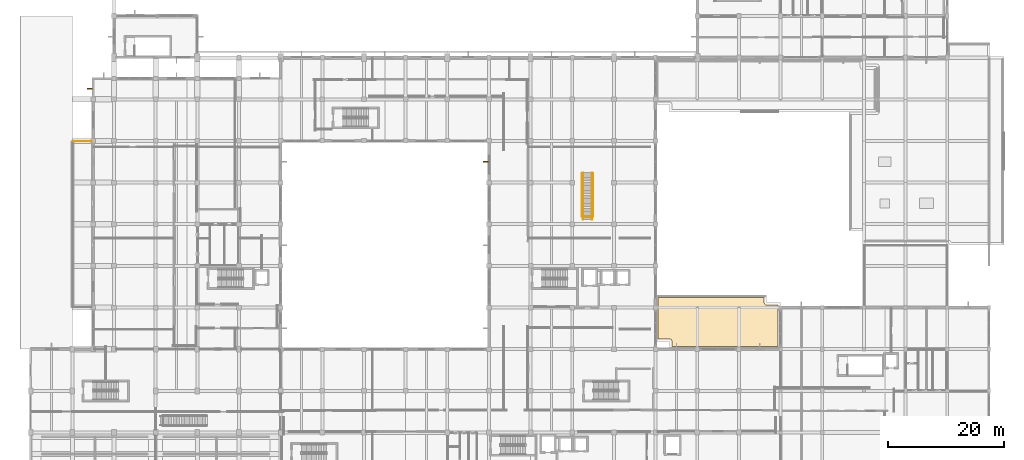
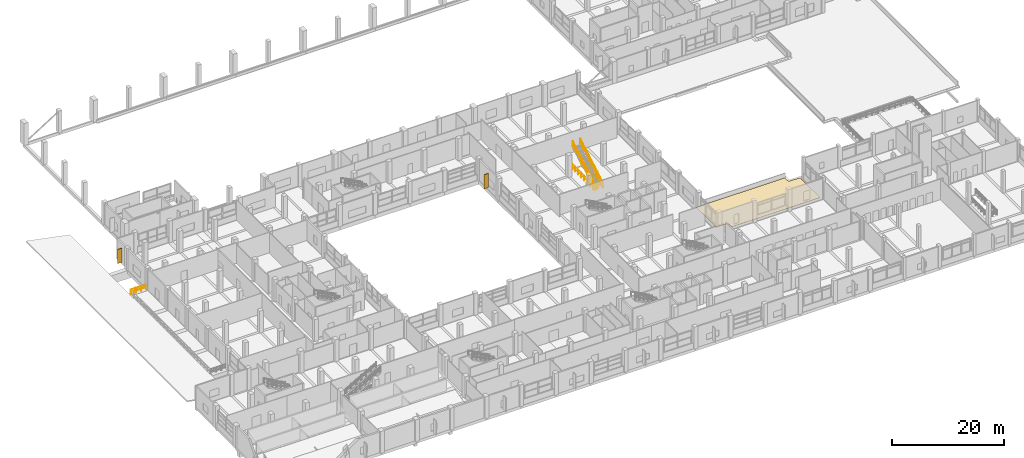
# One storey, part 137 of 140: 7 railings, 2 shading devices, 1 covering.
"""IFC4 building model written with IfcOpenShell, lengths in metres."""

import ifcopenshell
import ifcopenshell.guid

model = None  # the IFC model being written
_history = None  # IfcOwnerHistory: only IFC2X3 demands one
_inside = {}  # id of a spatial element -> (the spatial element, [elements in it])
_under = {}  # id of a project, library or spatial element -> (it, [spatial elements below it])
_declared = {}  # id of a project -> (the project, [libraries it declares])
_typed = {}  # id of a type object -> (the type object, [elements of that type])
_made_of = {}  # id of a material, layer set ... -> (it, [elements and type objects made of it])


def new_model(schema):
    """Start an empty IFC model of exactly this schema.

    Asked for "IFC4X3", IfcOpenShell would pick the latest addendum, in which some entities
    have other attributes; the version numbers below select the first issue.
    IFC2X3 requires an IfcOwnerHistory on every rooted entity: one is made here for all.
    """
    global model, _history
    if schema == "IFC4X3":
        model = ifcopenshell.file(schema_version=(4, 3, 0, 0))
    else:
        model = ifcopenshell.file(schema=schema)
    _inside.clear()
    _under.clear()
    _declared.clear()
    _typed.clear()
    _made_of.clear()
    _history = None
    if model.schema == "IFC2X3":
        org = make("IfcOrganization", Name="unknown")
        user = make(
            "IfcPersonAndOrganization",
            ThePerson=make("IfcPerson", FamilyName="unknown"),
            TheOrganization=org,
        )
        app = make(
            "IfcApplication",
            ApplicationDeveloper=org,
            Version="unknown",
            ApplicationFullName="unknown",
            ApplicationIdentifier="unknown",
        )
        _history = make(
            "IfcOwnerHistory",
            OwningUser=user,
            OwningApplication=app,
            ChangeAction="ADDED",
            CreationDate=0,
        )
    return model


def make(cls, **values):
    """One entity of the class cls with the attributes given. An attribute that is None is left unset."""
    return model.create_entity(
        cls, **{name: value for name, value in values.items() if value is not None}
    )


def rooted(cls, **values):
    """An entity with a GlobalId (a new one), such as an element, a storey or a relation."""
    return make(cls, GlobalId=ifcopenshell.guid.new(), OwnerHistory=_history, **values)


def si_unit(unit_type, name, prefix=None):
    """IfcSIUnit, for example si_unit("LENGTHUNIT", "METRE", prefix="MILLI")."""
    return make("IfcSIUnit", UnitType=unit_type, Prefix=prefix, Name=name)


def assignment(units):
    """IfcUnitAssignment: the units of a project."""
    return None if units is None else make("IfcUnitAssignment", Units=units)


def point(xyz):
    """IfcCartesianPoint."""
    return None if xyz is None else make("IfcCartesianPoint", Coordinates=xyz)


def direction(xyz):
    """IfcDirection."""
    return None if xyz is None else make("IfcDirection", DirectionRatios=xyz)


def frame(location, z_axis=None, x_axis=None):
    """IfcAxis2Placement3D, a coordinate frame: its origin and axes. An axis left out is left unset."""
    return make(
        "IfcAxis2Placement3D",
        Location=point(location),
        Axis=direction(z_axis),
        RefDirection=direction(x_axis),
    )


def frame_2d(location, x_axis=None):
    """IfcAxis2Placement2D, a coordinate frame in the plane: its origin and x axis."""
    return make(
        "IfcAxis2Placement2D", Location=point(location), RefDirection=direction(x_axis)
    )


def origin():
    """The frame at (0, 0, 0) with its axes left unset."""
    return frame((0.0, 0.0, 0.0))


def origin_2d():
    """The frame at (0, 0) in the plane with its x axis left unset."""
    return frame_2d((0.0, 0.0))


def place(relative_to, where):
    """IfcLocalPlacement: puts the frame where relative to a parent placement (None: the world)."""
    return make(
        "IfcLocalPlacement", PlacementRelTo=relative_to, RelativePlacement=where
    )


def context(
    kind, dimensions, precision=None, world=None, true_north=None, identifier=None
):
    """IfcGeometricRepresentationContext, for example the 3D "Model" context."""
    return make(
        "IfcGeometricRepresentationContext",
        ContextIdentifier=identifier,
        ContextType=kind,
        CoordinateSpaceDimension=dimensions,
        Precision=precision,
        WorldCoordinateSystem=world,
        TrueNorth=true_north,
    )


def subcontext(parent, identifier, kind, view, scale=None):
    """IfcGeometricRepresentationSubContext, for example "Body" below "Model"."""
    return make(
        "IfcGeometricRepresentationSubContext",
        ContextIdentifier=identifier,
        ContextType=kind,
        ParentContext=parent,
        TargetScale=scale,
        TargetView=view,
    )


def project(units=None, contexts=None):
    """IfcProject with its units and contexts."""
    return rooted(
        "IfcProject",
        Name="project",
        RepresentationContexts=contexts,
        UnitsInContext=assignment(units),
    )


def spatial(cls, under=None, at=None, **own):
    """A site, building, storey or space (cls), placed at a placement, below another one or the project."""
    s = rooted(cls, ObjectPlacement=at, **own)
    if under is not None:
        _under.setdefault(under.id(), (under, []))[1].append(s)
    return s


def polyline(points):
    """IfcPolyline through the points."""
    return make("IfcPolyline", Points=[point(p) for p in points])


def profile(cls, at=None, kind="AREA", **sizes):
    """A parametric profile (cls). Its sizes go by their IFC names, for example OverallWidth=200.0."""
    return make(cls, ProfileType=kind, Position=at, **sizes)


def rectangle(**sizes):
    """IfcRectangleProfileDef."""
    return profile("IfcRectangleProfileDef", **sizes)


def circle(**sizes):
    """IfcCircleProfileDef."""
    return profile("IfcCircleProfileDef", **sizes)


def outline(outer, holes=None, kind="AREA"):
    """IfcArbitraryClosedProfileDef: a profile drawn as a closed curve; with holes, ...WithVoids."""
    if holes is None:
        return make("IfcArbitraryClosedProfileDef", ProfileType=kind, OuterCurve=outer)
    return make(
        "IfcArbitraryProfileDefWithVoids",
        ProfileType=kind,
        OuterCurve=outer,
        InnerCurves=holes,
    )


def extrude(swept, where, along, depth):
    """IfcExtrudedAreaSolid: the profile swept, set in the frame where, extruded along a direction by depth."""
    return make(
        "IfcExtrudedAreaSolid",
        SweptArea=swept,
        Position=where,
        ExtrudedDirection=direction(along),
        Depth=depth,
    )


def shape(context_of_items, identifier, shape_type, items):
    """IfcShapeRepresentation: the items that make up one representation, for example the "Body"."""
    return make(
        "IfcShapeRepresentation",
        ContextOfItems=context_of_items,
        RepresentationIdentifier=identifier,
        RepresentationType=shape_type,
        Items=items,
    )


def material(Name=None, Category=None):
    """IfcMaterial."""
    return make("IfcMaterial", Name=Name, Category=Category)


def layer(
    of_material, thickness, ventilated=None, Name=None, Category=None, Priority=None
):
    """IfcMaterialLayer: one layer of a wall or slab, of a material (None: an air gap)."""
    return make(
        "IfcMaterialLayer",
        Material=of_material,
        LayerThickness=thickness,
        IsVentilated=ventilated,
        Name=Name,
        Category=Category,
        Priority=Priority,
    )


def layer_set(layers, Name=None):
    """IfcMaterialLayerSet."""
    return make("IfcMaterialLayerSet", MaterialLayers=layers, LayerSetName=Name)


def made_of(thing, what):
    """Note that an element or type object is made of a material, layer set ...; save() writes the relation."""
    if what is not None:
        _made_of.setdefault(what.id(), (what, []))[1].append(thing)
    return thing


def type_object(cls, material=None, **own):
    """A type object (cls), such as IfcWallType, which elements share."""
    return made_of(rooted(cls, **own), material)


def element(
    cls,
    number,
    at=None,
    inside=None,
    cuts=None,
    type_object=None,
    material=None,
    context=None,
    identifier="Body",
    shape_type=None,
    held_by="IfcProductDefinitionShape",
    body=None,
    shapes=None,
    **own,
):
    """One element of the class cls, such as IfcWall. Its Tag is "e" and its number.

    at: its placement. inside: the storey or other place that contains it. cuts: it is an
    opening in that element (IfcRelVoidsElement). A single representation is given by context,
    identifier, shape_type and body (its items); several are given by shapes. held_by: the class
    of the entity that holds the representations. save() writes the other relations.
    """
    e = rooted(cls, Tag="e%d" % number, ObjectPlacement=at, **own)
    if body is not None:
        shapes = [shape(context, identifier, shape_type, body)]
    if shapes is not None:
        e.Representation = make(held_by, Representations=shapes)
    if inside is not None:
        _inside.setdefault(inside.id(), (inside, []))[1].append(e)
    if cuts is not None:
        rooted(
            "IfcRelVoidsElement", RelatingBuildingElement=cuts, RelatedOpeningElement=e
        )
    if type_object is not None:
        _typed.setdefault(type_object.id(), (type_object, []))[1].append(e)
    return made_of(e, material)


def aggregate(whole, parts):
    """IfcRelAggregates: a whole, such as a stair, and the parts it consists of."""
    return rooted("IfcRelAggregates", RelatingObject=whole, RelatedObjects=parts)


def save(model, path):
    """Write the relations noted so far, then the file.

    IfcRelAggregates (storeys below a building ...), IfcRelContainedInSpatialStructure (elements
    in a storey), IfcRelDefinesByType, IfcRelAssociatesMaterial and IfcRelDeclares: one each for
    every whole, place, type object, material and project.
    """
    for whole, parts in _under.values():
        aggregate(whole, parts)
    for where, things in _inside.values():
        rooted(
            "IfcRelContainedInSpatialStructure",
            RelatedElements=things,
            RelatingStructure=where,
        )
    for kind, things in _typed.values():
        rooted("IfcRelDefinesByType", RelatedObjects=things, RelatingType=kind)
    for what, things in _made_of.values():
        rooted("IfcRelAssociatesMaterial", RelatedObjects=things, RelatingMaterial=what)
    for by, libraries in _declared.values():
        rooted("IfcRelDeclares", RelatingContext=by, RelatedDefinitions=libraries)
    model.write(path)


model = new_model("IFC4")

# Units and contexts
model_context = context("Model", 3, precision=1e-05, world=origin(), true_north=direction((0.0, 1.0)))
body_context = subcontext(model_context, "Body", "Model", "MODEL_VIEW")
ifc_project = project(units=[si_unit("LENGTHUNIT", "METRE"), si_unit("AREAUNIT", "SQUARE_METRE"), si_unit("VOLUMEUNIT", "CUBIC_METRE"), si_unit("PLANEANGLEUNIT", "RADIAN"), si_unit("MASSUNIT", "GRAM", prefix="KILO")], contexts=[model_context])

# Site, building, storey
site_placement = place(None, origin())
site = spatial("IfcSite", under=ifc_project, at=site_placement, CompositionType="ELEMENT")
building_placement = place(site_placement, origin())
building = spatial("IfcBuilding", under=site, at=building_placement, Name="Seraya Terrace Polytechnic", CompositionType="ELEMENT")
storey_placement = place(building_placement, frame((0.0, 0.0, 9.60009765625)))
storey = spatial("IfcBuildingStorey", under=building, at=storey_placement, Name="L02", CompositionType="ELEMENT", Elevation=9.60009765625)

# Shading devices
ifc_material_1 = material(Name="Precast concrete C40/50", Category="concrete")
shading_device_type = type_object("IfcShadingDeviceType", Name="BS-F1", PredefinedType="JALOUSIE", material=ifc_material_1)
for number, where, z_axis, x_axis, name in (
    (1, (10.22998046875, 73.800048828125, 0.449951171875), (0.0, 0.0, 1.0), (-1.0, 0.0, 0.0), "Precast concrete brise-soleil fin L02"),
    (2, (78.6298828125, 61.199951171875, 0.449951171875), (0.0, 0.0, 1.0), (-1.0, 0.0, 0.0), "Precast concrete brise-soleil fin L02"),
):
    element("IfcShadingDevice", number, at=place(storey_placement, frame(where, z_axis=z_axis, x_axis=x_axis)), inside=storey, type_object=shading_device_type, Name=name, PredefinedType="JALOUSIE", context=body_context, shape_type="SweptSolid", body=[
        extrude(rectangle(XDim=0.89990234375, YDim=0.14990234375, at=origin_2d()), origin(), (0.0, 0.0, 1.0), 3.10009765625),
    ])

# Railings
ifc_material_2 = material(Name="Steel S355J2", Category="steel")
railing_type_1 = type_object("IfcRailingType", Name="GR-01", PredefinedType="GUARDRAIL", material=ifc_material_2)
railing_1_placement = place(storey_placement, frame((10.56005859375, 64.739990234375, 0.0)))
element("IfcRailing", 3, at=railing_1_placement, inside=storey, type_object=railing_type_1, Name="Terrace perimeter guardrail TERR-L02-W N1", PredefinedType="GUARDRAIL", context=body_context, shape_type="SweptSolid", body=[
    extrude(circle(Radius=0.02392578125, at=origin_2d()), frame((0.0, 0.0, 1.10595703125), z_axis=(-1.0, 0.0, 0.0), x_axis=(0.0, -1.0, 0.0)), (0.0, 0.0, 1.0), 3.300048828125),
    extrude(circle(Radius=0.02392578125, at=origin_2d()), frame((0.0, 0.0, 0.550048828125), z_axis=(-1.0, 0.0, 0.0), x_axis=(0.0, -1.0, 0.0)), (0.0, 0.0, 1.0), 3.300048828125),
    extrude(circle(Radius=0.02099609375, at=origin_2d()), origin(), (0.0, 0.0, 1.0), 1.081787109375),
    extrude(circle(Radius=0.02099609375, at=origin_2d()), frame((-1.10009765625, 0.0, 0.0)), (0.0, 0.0, 1.0), 1.081787109375),
    extrude(circle(Radius=0.02099609375, at=origin_2d()), frame((-2.199951171875, 0.0, 0.0)), (0.0, 0.0, 1.0), 1.081787109375),
    extrude(circle(Radius=0.02099609375, at=origin_2d()), frame((-3.300048828125, 0.0, 0.0)), (0.0, 0.0, 1.0), 1.081787109375),
])
railing_type_2 = type_object("IfcRailingType", Name="GR-02", PredefinedType="GUARDRAIL", material=ifc_material_2)
railing_2_placement = place(storey_placement, frame((95.280029296875, 51.679931640625, 0.0)))
element("IfcRailing", 4, at=railing_2_placement, inside=storey, type_object=railing_type_2, Name="ST-16 top opening guard L02.1", PredefinedType="GUARDRAIL", context=body_context, shape_type="SweptSolid", body=[
    extrude(circle(Radius=0.02392578125, at=origin_2d()), frame((0.0, 0.0, 1.10595703125), z_axis=(1.0, 0.0, 0.0), x_axis=(0.0, 1.0, 0.0)), (0.0, 0.0, 1.0), 1.919921875),
    extrude(circle(Radius=0.02392578125, at=origin_2d()), frame((0.0, 0.0, 0.550048828125), z_axis=(1.0, 0.0, 0.0), x_axis=(0.0, 1.0, 0.0)), (0.0, 0.0, 1.0), 1.919921875),
    extrude(circle(Radius=0.02099609375, at=origin_2d()), origin(), (0.0, 0.0, 1.0), 1.081787109375),
    extrude(circle(Radius=0.02099609375, at=origin_2d()), frame((0.9599609375, 0.0, 0.0)), (0.0, 0.0, 1.0), 1.081787109375),
    extrude(circle(Radius=0.02099609375, at=origin_2d()), frame((1.919921875, 0.0, 0.0)), (0.0, 0.0, 1.0), 1.081787109375),
])
for number, where, name in (
    (5, (95.280029296875, 51.739990234375, 0.0), "ST-16 top opening guard L02.2"),
    (6, (97.199951171875, 51.739990234375, 0.0), "ST-16 top opening guard L02.3"),
):
    element("IfcRailing", number, at=place(storey_placement, frame(where)), inside=storey, type_object=railing_type_2, Name=name, PredefinedType="GUARDRAIL", context=body_context, shape_type="SweptSolid", body=[
        extrude(circle(Radius=0.02392578125, at=origin_2d()), frame((0.0, 0.0, 1.10595703125), z_axis=(0.0, 1.0, 0.0), x_axis=(-1.0, 0.0, 0.0)), (0.0, 0.0, 1.0), 7.47998046875),
        extrude(circle(Radius=0.02392578125, at=origin_2d()), frame((0.0, 0.0, 0.550048828125), z_axis=(0.0, 1.0, 0.0), x_axis=(-1.0, 0.0, 0.0)), (0.0, 0.0, 1.0), 7.47998046875),
        extrude(circle(Radius=0.02099609375, at=origin_2d()), origin(), (0.0, 0.0, 1.0), 1.081787109375),
        extrude(circle(Radius=0.02099609375, at=origin_2d()), frame((0.0, 1.068603515625, 0.0)), (0.0, 0.0, 1.0), 1.081787109375),
        extrude(circle(Radius=0.02099609375, at=origin_2d()), frame((0.0, 2.13720703125, 0.0)), (0.0, 0.0, 1.0), 1.081787109375),
        extrude(circle(Radius=0.02099609375, at=origin_2d()), frame((0.0, 3.205810546875, 0.0)), (0.0, 0.0, 1.0), 1.081787109375),
        extrude(circle(Radius=0.02099609375, at=origin_2d()), frame((0.0, 4.274169921875, 0.0)), (0.0, 0.0, 1.0), 1.081787109375),
        extrude(circle(Radius=0.02099609375, at=origin_2d()), frame((0.0, 5.3427734375, 0.0)), (0.0, 0.0, 1.0), 1.081787109375),
        extrude(circle(Radius=0.02099609375, at=origin_2d()), frame((0.0, 6.411376953125, 0.0)), (0.0, 0.0, 1.0), 1.081787109375),
        extrude(circle(Radius=0.02099609375, at=origin_2d()), frame((0.0, 7.47998046875, 0.0)), (0.0, 0.0, 1.0), 1.081787109375),
    ])
for number, where, name in (
    (7, (97.02001953125, 51.199951171875, 0.159912109375), "ST-16 flight guard L02"),
    (8, (95.4599609375, 51.199951171875, 0.159912109375), "ST-16 flight outer guard L02"),
):
    element("IfcRailing", number, at=place(storey_placement, frame(where)), inside=storey, type_object=railing_type_2, Name=name, PredefinedType="GUARDRAIL", context=body_context, shape_type="SweptSolid", body=[
        extrude(circle(Radius=0.02392578125, at=origin_2d()), frame((0.0, 0.0, 1.10595703125), z_axis=(0.0, 0.868251174308, 0.496124881772), x_axis=(-1.0, 0.0, 0.0)), (0.0, 0.0, 1.0), 9.352294921875),
        extrude(circle(Radius=0.02392578125, at=origin_2d()), frame((0.0, 0.0, 0.550048828125), z_axis=(0.0, 0.868251174308, 0.496124881772), x_axis=(-1.0, 0.0, 0.0)), (0.0, 0.0, 1.0), 9.352294921875),
        extrude(circle(Radius=0.02099609375, at=origin_2d()), origin(), (0.0, 0.0, 1.0), 1.081787109375),
        extrude(circle(Radius=0.02099609375, at=origin_2d()), frame((0.0, 1.01513671875, 0.580078125)), (0.0, 0.0, 1.0), 1.081787109375),
        extrude(circle(Radius=0.02099609375, at=origin_2d()), frame((0.0, 2.030029296875, 1.159912109375)), (0.0, 0.0, 1.0), 1.081787109375),
        extrude(circle(Radius=0.02099609375, at=origin_2d()), frame((0.0, 3.044921875, 1.739990234375)), (0.0, 0.0, 1.0), 1.081787109375),
        extrude(circle(Radius=0.02099609375, at=origin_2d()), frame((0.0, 4.06005859375, 2.31982421875)), (0.0, 0.0, 1.0), 1.081787109375),
        extrude(circle(Radius=0.02099609375, at=origin_2d()), frame((0.0, 5.0751953125, 2.89990234375)), (0.0, 0.0, 1.0), 1.081787109375),
        extrude(circle(Radius=0.02099609375, at=origin_2d()), frame((0.0, 6.090087890625, 3.47998046875)), (0.0, 0.0, 1.0), 1.081787109375),
        extrude(circle(Radius=0.02099609375, at=origin_2d()), frame((0.0, 7.10498046875, 4.059814453125)), (0.0, 0.0, 1.0), 1.081787109375),
        extrude(circle(Radius=0.02099609375, at=origin_2d()), frame((0.0, 8.1201171875, 4.639892578125)), (0.0, 0.0, 1.0), 1.081787109375),
    ])
railing_type_3 = type_object("IfcRailingType", Name="HR-01", PredefinedType="HANDRAIL", material=ifc_material_2)
railing_3_placement = place(storey_placement, frame((95.4599609375, 51.199951171875, 0.159912109375)))
element("IfcRailing", 9, at=railing_3_placement, inside=storey, type_object=railing_type_3, Name="ST-16 handrail L02", PredefinedType="HANDRAIL", context=body_context, shape_type="SweptSolid", body=[
    extrude(circle(Radius=0.02392578125, at=origin_2d()), frame((0.0, 0.0, 0.8759765625), z_axis=(0.0, 0.868251174308, 0.496124881772), x_axis=(-1.0, 0.0, 0.0)), (0.0, 0.0, 1.0), 9.352294921875),
    extrude(circle(Radius=0.02099609375, at=origin_2d()), origin(), (0.0, 0.0, 1.0), 0.851806640625),
    extrude(circle(Radius=0.02099609375, at=origin_2d()), frame((0.0, 1.01513671875, 0.580078125)), (0.0, 0.0, 1.0), 0.851806640625),
    extrude(circle(Radius=0.02099609375, at=origin_2d()), frame((0.0, 2.030029296875, 1.159912109375)), (0.0, 0.0, 1.0), 0.851806640625),
    extrude(circle(Radius=0.02099609375, at=origin_2d()), frame((0.0, 3.044921875, 1.739990234375)), (0.0, 0.0, 1.0), 0.851806640625),
    extrude(circle(Radius=0.02099609375, at=origin_2d()), frame((0.0, 4.06005859375, 2.31982421875)), (0.0, 0.0, 1.0), 0.851806640625),
    extrude(circle(Radius=0.02099609375, at=origin_2d()), frame((0.0, 5.0751953125, 2.89990234375)), (0.0, 0.0, 1.0), 0.851806640625),
    extrude(circle(Radius=0.02099609375, at=origin_2d()), frame((0.0, 6.090087890625, 3.47998046875)), (0.0, 0.0, 1.0), 0.851806640625),
    extrude(circle(Radius=0.02099609375, at=origin_2d()), frame((0.0, 7.10498046875, 4.059814453125)), (0.0, 0.0, 1.0), 0.851806640625),
    extrude(circle(Radius=0.02099609375, at=origin_2d()), frame((0.0, 8.1201171875, 4.639892578125)), (0.0, 0.0, 1.0), 0.851806640625),
])

# Covering
ifc_material_3 = material(Name="Insulated TPO waterproof roofing membrane")
ifc_layer = layer(ifc_material_3, 0.06005859375, Name="RF-C1")
ifc_layer_set = layer_set([ifc_layer], Name="Insulated TPO waterproof roofing membrane")
covering_type = type_object("IfcCoveringType", Name="RF-C1", PredefinedType="ROOFING", material=ifc_layer_set)
covering_placement = place(storey_placement, origin())
element("IfcCovering", 10, at=covering_placement, inside=storey, type_object=covering_type, Name="Waterproof TPO roof covering ROOF-L02-SELINK", PredefinedType="ROOFING", context=body_context, shape_type="SweptSolid", body=[
    extrude(outline(polyline([(110.85009765625, 30.115966796875), (110.815673828125, 30.2880859375), (110.747802734375, 30.401611328125), (110.64990234375, 30.490234375), (110.48779296875, 30.557373046875), (108.449951171875, 30.56591796875), (108.449951171875, 37.75), (126.75, 37.75), (126.758544921875, 36.796142578125), (126.82568359375, 36.634033203125), (126.91455078125, 36.5361328125), (126.98779296875, 36.487060546875), (127.0693359375, 36.453369140625), (127.199951171875, 36.43408203125), (129.14990234375, 36.43408203125), (129.14990234375, 29.25), (110.85009765625, 29.25), (110.85009765625, 30.115966796875)])), origin(), (0.0, 0.0, 1.0), 0.059814453125),
])

save(model, "model.ifc")
